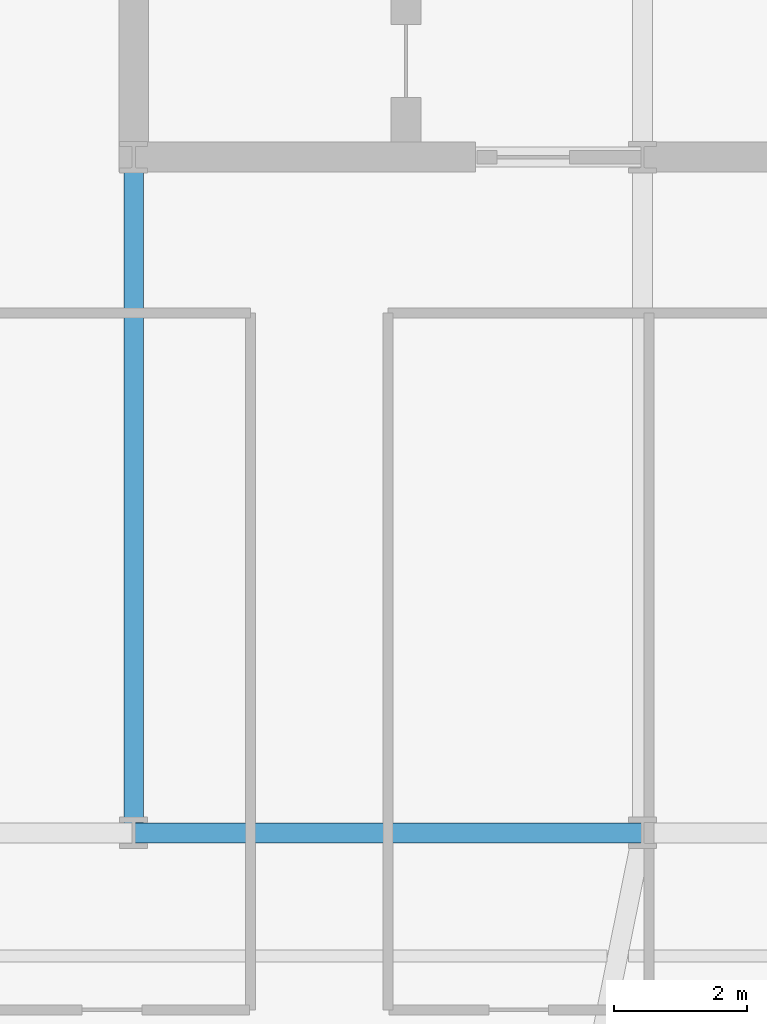
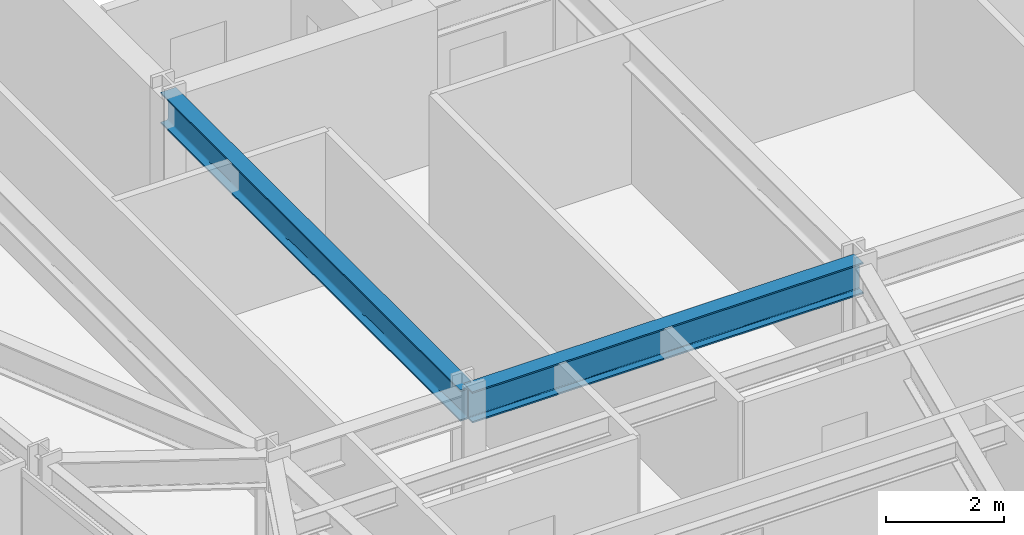
# One storey, part 7 of 33: 2 beams.
"""IFC4 building model written with IfcOpenShell, lengths in metres."""

import ifcopenshell
import ifcopenshell.guid

model = None  # the IFC model being written
_history = None  # IfcOwnerHistory: only IFC2X3 demands one
_inside = {}  # id of a spatial element -> (the spatial element, [elements in it])
_under = {}  # id of a project, library or spatial element -> (it, [spatial elements below it])
_declared = {}  # id of a project -> (the project, [libraries it declares])
_typed = {}  # id of a type object -> (the type object, [elements of that type])
_made_of = {}  # id of a material, layer set ... -> (it, [elements and type objects made of it])


def new_model(schema):
    """Start an empty IFC model of exactly this schema.

    Asked for "IFC4X3", IfcOpenShell would pick the latest addendum, in which some entities
    have other attributes; the version numbers below select the first issue.
    IFC2X3 requires an IfcOwnerHistory on every rooted entity: one is made here for all.
    """
    global model, _history
    if schema == "IFC4X3":
        model = ifcopenshell.file(schema_version=(4, 3, 0, 0))
    else:
        model = ifcopenshell.file(schema=schema)
    _inside.clear()
    _under.clear()
    _declared.clear()
    _typed.clear()
    _made_of.clear()
    _history = None
    if model.schema == "IFC2X3":
        org = make("IfcOrganization", Name="unknown")
        user = make(
            "IfcPersonAndOrganization",
            ThePerson=make("IfcPerson", FamilyName="unknown"),
            TheOrganization=org,
        )
        app = make(
            "IfcApplication",
            ApplicationDeveloper=org,
            Version="unknown",
            ApplicationFullName="unknown",
            ApplicationIdentifier="unknown",
        )
        _history = make(
            "IfcOwnerHistory",
            OwningUser=user,
            OwningApplication=app,
            ChangeAction="ADDED",
            CreationDate=0,
        )
    return model


def make(cls, **values):
    """One entity of the class cls with the attributes given. An attribute that is None is left unset."""
    return model.create_entity(
        cls, **{name: value for name, value in values.items() if value is not None}
    )


def rooted(cls, **values):
    """An entity with a GlobalId (a new one), such as an element, a storey or a relation."""
    return make(cls, GlobalId=ifcopenshell.guid.new(), OwnerHistory=_history, **values)


def si_unit(unit_type, name, prefix=None):
    """IfcSIUnit, for example si_unit("LENGTHUNIT", "METRE", prefix="MILLI")."""
    return make("IfcSIUnit", UnitType=unit_type, Prefix=prefix, Name=name)


def assignment(units):
    """IfcUnitAssignment: the units of a project."""
    return None if units is None else make("IfcUnitAssignment", Units=units)


def point(xyz):
    """IfcCartesianPoint."""
    return None if xyz is None else make("IfcCartesianPoint", Coordinates=xyz)


def direction(xyz):
    """IfcDirection."""
    return None if xyz is None else make("IfcDirection", DirectionRatios=xyz)


def frame(location, z_axis=None, x_axis=None):
    """IfcAxis2Placement3D, a coordinate frame: its origin and axes. An axis left out is left unset."""
    return make(
        "IfcAxis2Placement3D",
        Location=point(location),
        Axis=direction(z_axis),
        RefDirection=direction(x_axis),
    )


def frame_2d(location, x_axis=None):
    """IfcAxis2Placement2D, a coordinate frame in the plane: its origin and x axis."""
    return make(
        "IfcAxis2Placement2D", Location=point(location), RefDirection=direction(x_axis)
    )


def origin():
    """The frame at (0, 0, 0) with its axes left unset."""
    return frame((0.0, 0.0, 0.0))


def origin_2d():
    """The frame at (0, 0) in the plane with its x axis left unset."""
    return frame_2d((0.0, 0.0))


def place(relative_to, where):
    """IfcLocalPlacement: puts the frame where relative to a parent placement (None: the world)."""
    return make(
        "IfcLocalPlacement", PlacementRelTo=relative_to, RelativePlacement=where
    )


def context(
    kind, dimensions, precision=None, world=None, true_north=None, identifier=None
):
    """IfcGeometricRepresentationContext, for example the 3D "Model" context."""
    return make(
        "IfcGeometricRepresentationContext",
        ContextIdentifier=identifier,
        ContextType=kind,
        CoordinateSpaceDimension=dimensions,
        Precision=precision,
        WorldCoordinateSystem=world,
        TrueNorth=true_north,
    )


def subcontext(parent, identifier, kind, view, scale=None):
    """IfcGeometricRepresentationSubContext, for example "Body" below "Model"."""
    return make(
        "IfcGeometricRepresentationSubContext",
        ContextIdentifier=identifier,
        ContextType=kind,
        ParentContext=parent,
        TargetScale=scale,
        TargetView=view,
    )


def project(units=None, contexts=None):
    """IfcProject with its units and contexts."""
    return rooted(
        "IfcProject",
        Name="project",
        RepresentationContexts=contexts,
        UnitsInContext=assignment(units),
    )


def spatial(cls, under=None, at=None, **own):
    """A site, building, storey or space (cls), placed at a placement, below another one or the project."""
    s = rooted(cls, ObjectPlacement=at, **own)
    if under is not None:
        _under.setdefault(under.id(), (under, []))[1].append(s)
    return s


def profile(cls, at=None, kind="AREA", **sizes):
    """A parametric profile (cls). Its sizes go by their IFC names, for example OverallWidth=200.0."""
    return make(cls, ProfileType=kind, Position=at, **sizes)


def i_section(**sizes):
    """IfcIShapeProfileDef."""
    return profile("IfcIShapeProfileDef", **sizes)


def extrude(swept, where, along, depth):
    """IfcExtrudedAreaSolid: the profile swept, set in the frame where, extruded along a direction by depth."""
    return make(
        "IfcExtrudedAreaSolid",
        SweptArea=swept,
        Position=where,
        ExtrudedDirection=direction(along),
        Depth=depth,
    )


def shape(context_of_items, identifier, shape_type, items):
    """IfcShapeRepresentation: the items that make up one representation, for example the "Body"."""
    return make(
        "IfcShapeRepresentation",
        ContextOfItems=context_of_items,
        RepresentationIdentifier=identifier,
        RepresentationType=shape_type,
        Items=items,
    )


def material(Name=None, Category=None):
    """IfcMaterial."""
    return make("IfcMaterial", Name=Name, Category=Category)


def material_profile(
    of_material, cross_section, Name=None, Category=None, Priority=None
):
    """IfcMaterialProfile: a cross section and its material."""
    return make(
        "IfcMaterialProfile",
        Name=Name,
        Material=of_material,
        Profile=cross_section,
        Priority=Priority,
        Category=Category,
    )


def profile_set(profiles, Name=None, composite=None):
    """IfcMaterialProfileSet."""
    return make(
        "IfcMaterialProfileSet",
        Name=Name,
        MaterialProfiles=profiles,
        CompositeProfile=composite,
    )


def made_of(thing, what):
    """Note that an element or type object is made of a material, layer set ...; save() writes the relation."""
    if what is not None:
        _made_of.setdefault(what.id(), (what, []))[1].append(thing)
    return thing


def type_object(cls, material=None, **own):
    """A type object (cls), such as IfcWallType, which elements share."""
    return made_of(rooted(cls, **own), material)


def element(
    cls,
    number,
    at=None,
    inside=None,
    cuts=None,
    type_object=None,
    material=None,
    context=None,
    identifier="Body",
    shape_type=None,
    held_by="IfcProductDefinitionShape",
    body=None,
    shapes=None,
    **own,
):
    """One element of the class cls, such as IfcWall. Its Tag is "e" and its number.

    at: its placement. inside: the storey or other place that contains it. cuts: it is an
    opening in that element (IfcRelVoidsElement). A single representation is given by context,
    identifier, shape_type and body (its items); several are given by shapes. held_by: the class
    of the entity that holds the representations. save() writes the other relations.
    """
    e = rooted(cls, Tag="e%d" % number, ObjectPlacement=at, **own)
    if body is not None:
        shapes = [shape(context, identifier, shape_type, body)]
    if shapes is not None:
        e.Representation = make(held_by, Representations=shapes)
    if inside is not None:
        _inside.setdefault(inside.id(), (inside, []))[1].append(e)
    if cuts is not None:
        rooted(
            "IfcRelVoidsElement", RelatingBuildingElement=cuts, RelatedOpeningElement=e
        )
    if type_object is not None:
        _typed.setdefault(type_object.id(), (type_object, []))[1].append(e)
    return made_of(e, material)


def aggregate(whole, parts):
    """IfcRelAggregates: a whole, such as a stair, and the parts it consists of."""
    return rooted("IfcRelAggregates", RelatingObject=whole, RelatedObjects=parts)


def save(model, path):
    """Write the relations noted so far, then the file.

    IfcRelAggregates (storeys below a building ...), IfcRelContainedInSpatialStructure (elements
    in a storey), IfcRelDefinesByType, IfcRelAssociatesMaterial and IfcRelDeclares: one each for
    every whole, place, type object, material and project.
    """
    for whole, parts in _under.values():
        aggregate(whole, parts)
    for where, things in _inside.values():
        rooted(
            "IfcRelContainedInSpatialStructure",
            RelatedElements=things,
            RelatingStructure=where,
        )
    for kind, things in _typed.values():
        rooted("IfcRelDefinesByType", RelatedObjects=things, RelatingType=kind)
    for what, things in _made_of.values():
        rooted("IfcRelAssociatesMaterial", RelatedObjects=things, RelatingMaterial=what)
    for by, libraries in _declared.values():
        rooted("IfcRelDeclares", RelatingContext=by, RelatedDefinitions=libraries)
    model.write(path)


model = new_model("IFC4")

# Units and contexts
model_context = context("Model", 3, precision=1e-05, world=origin(), true_north=direction((0.0, 1.0)))
body_context = subcontext(model_context, "Body", "Model", "MODEL_VIEW")
ifc_project = project(units=[si_unit("LENGTHUNIT", "METRE"), si_unit("AREAUNIT", "SQUARE_METRE"), si_unit("VOLUMEUNIT", "CUBIC_METRE"), si_unit("PLANEANGLEUNIT", "RADIAN"), si_unit("MASSUNIT", "GRAM", prefix="KILO")], contexts=[model_context])

# Site, building, storey
site_placement = place(None, origin())
site = spatial("IfcSite", under=ifc_project, at=site_placement, CompositionType="ELEMENT")
building_placement = place(site_placement, origin())
building = spatial("IfcBuilding", under=site, at=building_placement, Name="Yelkora Congress Tower", CompositionType="ELEMENT")
storey_placement = place(building_placement, frame((0.0, 0.0, 127.10009765625)))
storey = spatial("IfcBuildingStorey", under=building, at=storey_placement, Name="L34", CompositionType="ELEMENT", Elevation=127.10009765625)

# Beams
ifc_material = material(Name="Steel S355J2", Category="steel")
ifc_material_profile = material_profile(ifc_material, i_section(OverallWidth=0.300048828125, OverallDepth=0.64990234375, WebThickness=0.01611328125, FlangeThickness=0.031005859375, FilletRadius=0.027099609375, at=origin_2d()), Name="HEB 650")
ifc_profile_set = profile_set([ifc_material_profile], Name="Steel S355J2")
beam_type = type_object("IfcBeamType", Name="BM-GIRD-HEB650", PredefinedType="BEAM", material=ifc_profile_set)
beam_1_placement = place(storey_placement, frame((23.0400390625, 25.199951171875, 2.85498046875), z_axis=(1.0, 0.0, 0.0), x_axis=(0.0, 1.0, 0.0)))
element("IfcBeam", 1, at=beam_1_placement, inside=storey, type_object=beam_type, Name="L34 Spine Grid D Girder 2", PredefinedType="BEAM", context=body_context, shape_type="SweptSolid", body=[
    extrude(i_section(OverallWidth=0.300048828125, OverallDepth=0.64990234375, WebThickness=0.01611328125, FlangeThickness=0.031005859375, FilletRadius=0.027099609375, at=origin_2d()), origin(), (0.0, 0.0, 1.0), 7.679931640625),
])
beam_2_placement = place(storey_placement, frame((23.0400390625, 25.199951171875, 2.85498046875), z_axis=(0.0, 1.0, 0.0), x_axis=(-1.0, 0.0, 0.0)))
element("IfcBeam", 2, at=beam_2_placement, inside=storey, type_object=beam_type, Name="L34 Core Tie Girder MC-D1", PredefinedType="BEAM", context=body_context, shape_type="SweptSolid", body=[
    extrude(i_section(OverallWidth=0.300048828125, OverallDepth=0.64990234375, WebThickness=0.01611328125, FlangeThickness=0.031005859375, FilletRadius=0.027099609375, at=origin_2d()), origin(), (0.0, 0.0, 1.0), 10.199951171875),
])

save(model, "model.ifc")
